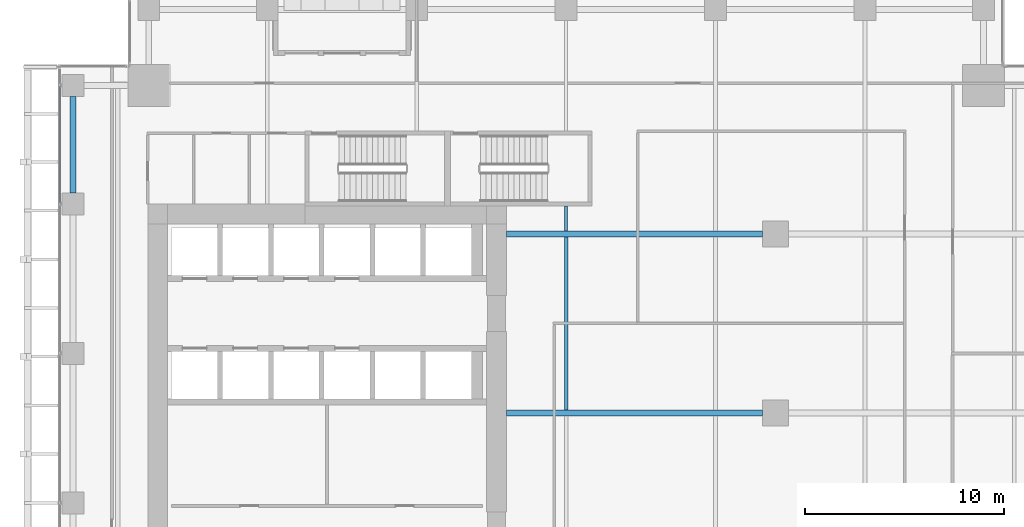
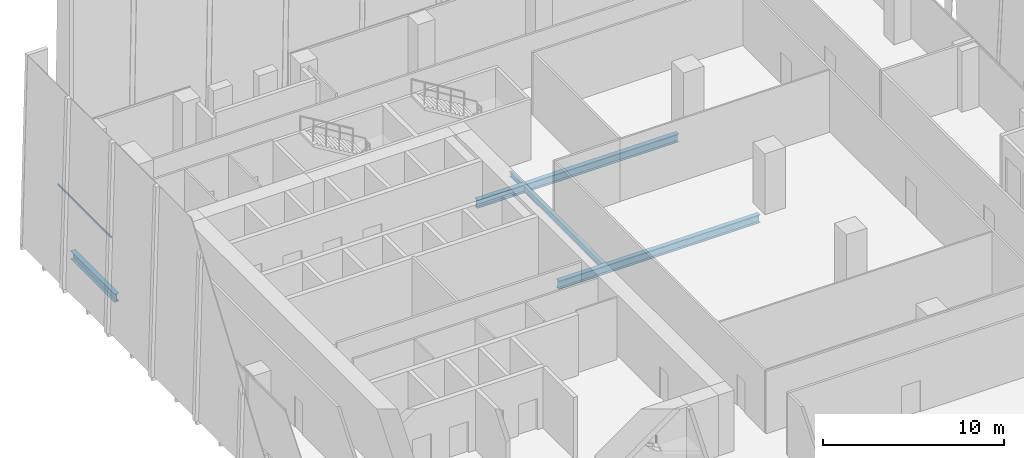
# One storey, part 15 of 36: 5 beams, 1 member, 1 element without a shape of its own.
"""IFC4 building model written with IfcOpenShell, lengths in metres."""

from ifc_helpers import new_model, si_unit, direction, frame, origin, origin_2d, place, context, subcontext, project, spatial, hollow_rectangle, i_section, extrude, source, transform, mapped, material, material_profile, profile_set, type_object, element, aggregate, save


model = new_model("IFC4")

# Units and contexts
model_context = context("Model", 3, precision=1e-05, world=origin(), true_north=direction((0.0, 1.0)))
body_context = subcontext(model_context, "Body", "Model", "MODEL_VIEW")
ifc_project = project(units=[si_unit("LENGTHUNIT", "METRE"), si_unit("AREAUNIT", "SQUARE_METRE"), si_unit("VOLUMEUNIT", "CUBIC_METRE"), si_unit("PLANEANGLEUNIT", "RADIAN"), si_unit("MASSUNIT", "GRAM", prefix="KILO")], contexts=[model_context])

# Site, building, storey
site_placement = place(None, origin())
site = spatial("IfcSite", under=ifc_project, at=site_placement, CompositionType="ELEMENT")
building_placement = place(site_placement, origin())
building = spatial("IfcBuilding", under=site, at=building_placement, Name="Khomas Fold Tower", CompositionType="ELEMENT")
storey_placement = place(building_placement, frame((0.0, 0.0, 141.10009765625)))
storey = spatial("IfcBuildingStorey", under=building, at=storey_placement, Name="L30", CompositionType="ELEMENT", Elevation=141.10009765625)

# Beams
ifc_material_1 = material(Name="Steel S355", Category="steel")
ifc_material_profile_1 = material_profile(ifc_material_1, i_section(OverallWidth=0.179931640625, OverallDepth=0.39990234375, WebThickness=0.008544921875, FlangeThickness=0.013427734375, at=origin_2d()), Name="IPE 400")
ifc_profile_set_1 = profile_set([ifc_material_profile_1], Name="Steel S355")
beam_type_1 = type_object("IfcBeamType", Name="IPE 400 beam JB3", PredefinedType="BEAM", material=ifc_profile_set_1)
shared_shape_1 = source(origin(), body_context, "Body", "SweptSolid", [
    extrude(i_section(OverallWidth=0.179931640625, OverallDepth=0.39990234375, WebThickness=0.008544921875, FlangeThickness=0.013427734375, at=origin_2d()), origin(), (0.0, 0.0, 1.0), 8.7001953125),
])
beam_1_placement = place(storey_placement, frame((27.0, 31.64990234375, -0.5), z_axis=(0.0, 1.0, 0.0), x_axis=(-1.0, 0.0, 0.0)))
element("IfcBeam", 1, at=beam_1_placement, inside=storey, type_object=beam_type_1, Name="JB3", PredefinedType="BEAM", context=body_context, shape_type="MappedRepresentation", body=[
    mapped(shared_shape_1, transform((0.0, 0.0, 0.0))),
])
ifc_material_2 = material(Name="Steel S355", Category="steel")
ifc_material_profile_2 = material_profile(ifc_material_2, i_section(OverallWidth=0.159912109375, OverallDepth=0.330078125, WebThickness=0.007568359375, FlangeThickness=0.011474609375, at=origin_2d()), Name="IPE 330")
ifc_profile_set_2 = profile_set([ifc_material_profile_2], Name="Steel S355")
beam_type_2 = type_object("IfcBeamType", Name="IPE 330 beam JB1", PredefinedType="BEAM", material=ifc_profile_set_2)
shared_shape_2 = source(origin(), body_context, "Body", "SweptSolid", [
    extrude(i_section(OverallWidth=0.159912109375, OverallDepth=0.330078125, WebThickness=0.007568359375, FlangeThickness=0.011474609375, at=origin_2d()), origin(), (0.0, 0.0, 1.0), 1.25),
])
beam_2_placement = place(storey_placement, frame((27.0, 40.64990234375, -0.465087890625), z_axis=(0.0, 1.0, 0.0), x_axis=(-1.0, 0.0, 0.0)))
element("IfcBeam", 2, at=beam_2_placement, inside=storey, type_object=beam_type_2, Name="JB1", PredefinedType="BEAM", context=body_context, shape_type="MappedRepresentation", body=[
    mapped(shared_shape_2, transform((0.0, 0.0, 0.0))),
])
ifc_material_3 = material(Name="Steel S355", Category="steel")
ifc_material_profile_3 = material_profile(ifc_material_3, i_section(OverallWidth=0.300048828125, OverallDepth=0.550048828125, WebThickness=0.014892578125, FlangeThickness=0.029052734375, at=origin_2d()), Name="HE 550 B")
ifc_profile_set_3 = profile_set([ifc_material_profile_3], Name="Steel S355")
beam_type_3 = type_object("IfcBeamType", Name="HE 550 B spandrel SB2", PredefinedType="SPANDREL", material=ifc_profile_set_3)
shared_shape_3 = source(origin(), body_context, "Body", "SweptSolid", [
    extrude(i_section(OverallWidth=0.300048828125, OverallDepth=0.550048828125, WebThickness=0.014892578125, FlangeThickness=0.029052734375, at=origin_2d()), origin(), (0.0, 0.0, 1.0), 4.849853515625),
])
beam_3_placement = place(storey_placement, frame((2.25, 42.550048828125, -0.5751953125), z_axis=(0.0, 1.0, 0.0), x_axis=(-1.0, 0.0, 0.0)))
element("IfcBeam", 3, at=beam_3_placement, inside=storey, type_object=beam_type_3, Name="SB2", PredefinedType="SPANDREL", context=body_context, shape_type="MappedRepresentation", body=[
    mapped(shared_shape_3, transform((0.0, 0.0, 0.0))),
])
ifc_material_4 = material(Name="Steel S355", Category="steel")
ifc_material_profile_4 = material_profile(ifc_material_4, i_section(OverallWidth=0.300048828125, OverallDepth=0.550048828125, WebThickness=0.014892578125, FlangeThickness=0.029052734375, at=origin_2d()), Name="HE 550 B")
ifc_profile_set_4 = profile_set([ifc_material_profile_4], Name="Steel S355")
beam_type_4 = type_object("IfcBeamType", Name="HE 550 B beam GB4", PredefinedType="BEAM", material=ifc_profile_set_4)
shared_shape_4 = source(origin(), body_context, "Body", "SweptSolid", [
    extrude(i_section(OverallWidth=0.300048828125, OverallDepth=0.550048828125, WebThickness=0.014892578125, FlangeThickness=0.029052734375, at=origin_2d()), origin(), (0.0, 0.0, 1.0), 12.85009765625),
])
for number, where, z_axis, x_axis, name in (
    (4, (24.0, 31.5, -0.5751953125), (1.0, 0.0, 0.0), (0.0, 1.0, 0.0), "GB4"),
    (5, (24.0, 40.5, -0.5751953125), (1.0, 0.0, 0.0), (0.0, 1.0, 0.0), "GB4"),
):
    element("IfcBeam", number, at=place(storey_placement, frame(where, z_axis=z_axis, x_axis=x_axis)), inside=storey, type_object=beam_type_4, Name=name, PredefinedType="BEAM", context=body_context, shape_type="MappedRepresentation", body=[
        mapped(shared_shape_4, transform((0.0, 0.0, 0.0))),
    ])

# Curtain wall, member
ifc_material_5 = material(Name="Aluminium framed double glazing", Category="aluminium")
curtain_wall_type = type_object("IfcCurtainWallType", Name="SK-Unitised clear-glass wall, growing floors CW1", PredefinedType="NOTDEFINED", material=ifc_material_5)
curtain_wall_placement = place(storey_placement, origin())
curtain_wall = element("IfcCurtainWall", 6, at=curtain_wall_placement, inside=storey, type_object=curtain_wall_type, Name="CW1 run L30 09-0", PredefinedType="NOTDEFINED")
ifc_material_6 = material(Name="Aluminium", Category="aluminium")
ifc_material_profile_5 = material_profile(ifc_material_6, hollow_rectangle(XDim=0.06005859375, YDim=0.1201171875, WallThickness=0.00390625, at=origin_2d()), Name="SK-Unitised clear-glass wall, growing floors transom CW1-T")
ifc_profile_set_5 = profile_set([ifc_material_profile_5], Name="Aluminium")
member_type = type_object("IfcMemberType", Name="SK-Unitised clear-glass wall, growing floors transom CW1-T", PredefinedType="USERDEFINED", material=ifc_profile_set_5)
shared_shape_5 = source(origin(), body_context, "Body", "SweptSolid", [
    extrude(hollow_rectangle(XDim=0.06005859375, YDim=0.1201171875, WallThickness=0.00390625, at=origin_2d()), origin(), (0.0, 0.0, 1.0), 5.889892578125),
])
member_placement = place(storey_placement, frame((1.60009765625, 47.919921875, 4.039794921875), z_axis=(0.0, -1.0, 0.0), x_axis=(1.0, 0.0, 0.0)))
member = element("IfcMember", 7, at=member_placement, type_object=member_type, Name="CW1 transom 2", ObjectType="TRANSOM", PredefinedType="USERDEFINED", context=body_context, shape_type="MappedRepresentation", body=[
    mapped(shared_shape_5, transform((0.0, 0.0, 0.0))),
])
aggregate(curtain_wall, [member])

save(model, "model.ifc")
